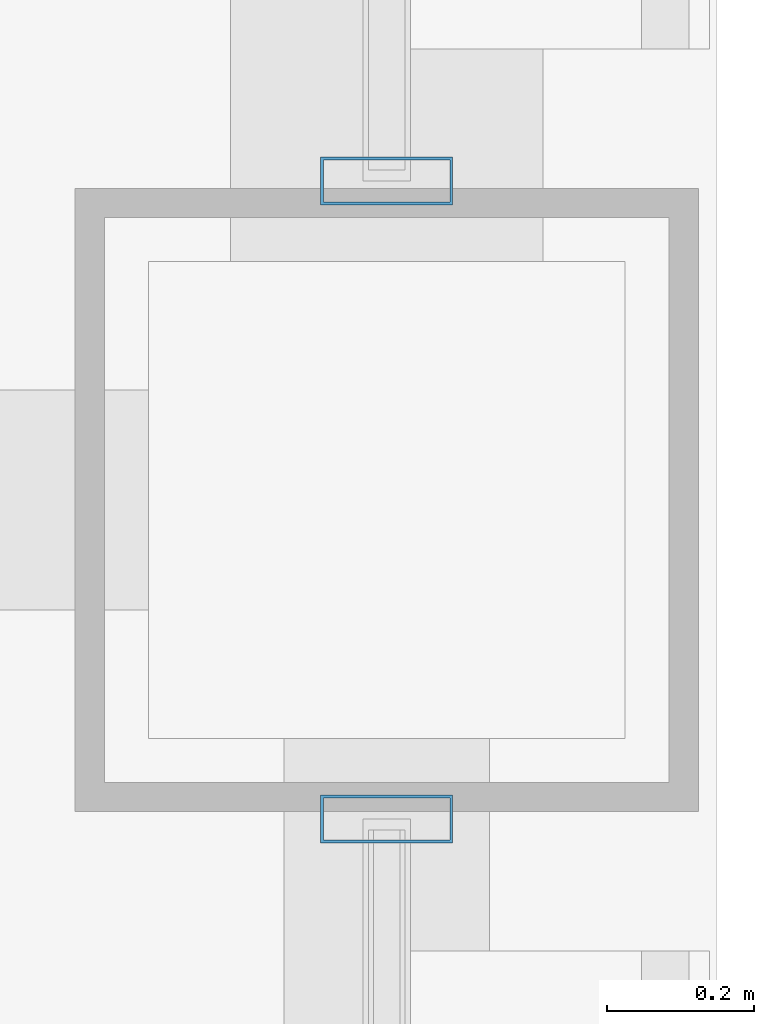
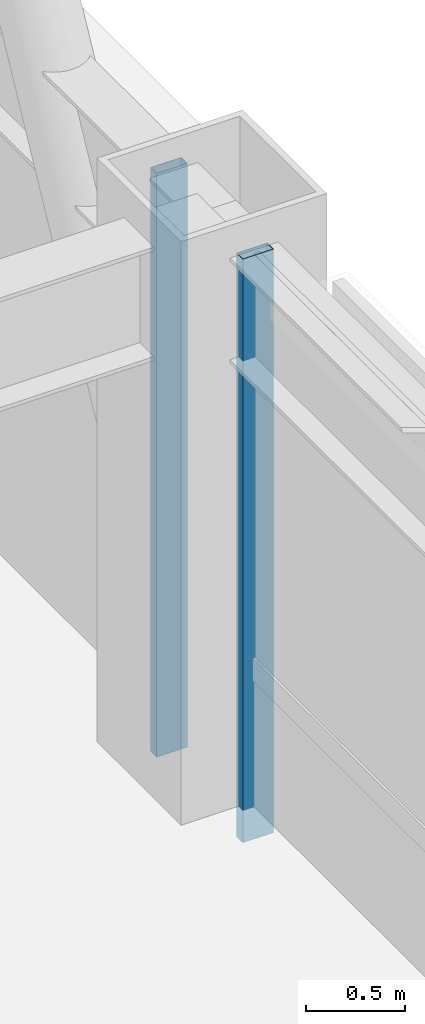
# One storey, part 16 of 32: 2 members, 2 elements without a shape of their own.
"""IFC4 building model written with IfcOpenShell, lengths in metres."""

from ifc_helpers import new_model, si_unit, direction, frame, origin, origin_2d, place, context, subcontext, project, spatial, hollow_rectangle, extrude, material, layer, layer_set, material_profile, profile_set, type_object, element, aggregate, save


model = new_model("IFC4")

# Units and contexts
model_context = context("Model", 3, precision=1e-05, world=origin(), true_north=direction((0.0, 1.0)))
body_context = subcontext(model_context, "Body", "Model", "MODEL_VIEW")
ifc_project = project(units=[si_unit("LENGTHUNIT", "METRE"), si_unit("AREAUNIT", "SQUARE_METRE"), si_unit("VOLUMEUNIT", "CUBIC_METRE"), si_unit("PLANEANGLEUNIT", "RADIAN"), si_unit("MASSUNIT", "GRAM", prefix="KILO")], contexts=[model_context])

# Site, building, storey
site_placement = place(None, origin())
site = spatial("IfcSite", under=ifc_project, at=site_placement, CompositionType="ELEMENT")
building_placement = place(site_placement, origin())
building = spatial("IfcBuilding", under=site, at=building_placement, Name="Brelmoor Portico Tower", CompositionType="ELEMENT")
storey_placement = place(building_placement, frame((0.0, 0.0, 109.800048828125)))
storey = spatial("IfcBuildingStorey", under=building, at=storey_placement, Name="L28", CompositionType="ELEMENT", Elevation=109.800048828125)

# Curtain wall, member
ifc_material = material(Name="Anodised Aluminium Alloy 6063-T6", Category="aluminium")
ifc_layer_1 = layer(ifc_material, 0.179931640625)
ifc_layer_set_1 = layer_set([ifc_layer_1], Name="Anodised Aluminium Alloy 6063-T6")
curtain_wall_type_1 = type_object("IfcCurtainWallType", Name="CW-TOWER-Z2", PredefinedType="NOTDEFINED", material=ifc_layer_set_1)
curtain_wall_1_placement = place(storey_placement, origin())
curtain_wall_1 = element("IfcCurtainWall", 1, at=curtain_wall_1_placement, inside=storey, type_object=curtain_wall_type_1, Name="L28 Curtain Wall CW-L28-4R-1", PredefinedType="NOTDEFINED")
ifc_material_profile = material_profile(ifc_material, hollow_rectangle(XDim=0.06494140625, YDim=0.179931640625, WallThickness=0.00390625, at=origin_2d()), Name="ALU MULLION 65x180")
ifc_profile_set = profile_set([ifc_material_profile], Name="Anodised Aluminium Alloy 6063-T6")
member_type = type_object("IfcMemberType", Name="MB-CW-MULL-180", PredefinedType="MULLION", material=ifc_profile_set)
member_1_placement = place(storey_placement, frame((22.550048828125, 9.31494140625, -0.199951171875), z_axis=(0.0, 0.0, 1.0), x_axis=(0.0, 1.0, 0.0)))
member_1 = element("IfcMember", 2, at=member_1_placement, type_object=member_type, Name="CW-L28-4R-1 Mullion 01", PredefinedType="MULLION", context=body_context, shape_type="SweptSolid", body=[
    extrude(hollow_rectangle(XDim=0.06494140625, YDim=0.179931640625, WallThickness=0.00390625, at=origin_2d()), origin(), (0.0, 0.0, 1.0), 3.599853515625),
])
aggregate(curtain_wall_1, [member_1])

ifc_layer_2 = layer(ifc_material, 0.179931640625)
ifc_layer_set_2 = layer_set([ifc_layer_2], Name="Anodised Aluminium Alloy 6063-T6")
curtain_wall_type_2 = type_object("IfcCurtainWallType", Name="CW-TOWER-Z2-XB", PredefinedType="NOTDEFINED", material=ifc_layer_set_2)
curtain_wall_2_placement = place(storey_placement, origin())
curtain_wall_2 = element("IfcCurtainWall", 3, at=curtain_wall_2_placement, inside=storey, type_object=curtain_wall_type_2, Name="L28 Curtain Wall CW-L28-4R-2", PredefinedType="NOTDEFINED")
member_2_placement = place(storey_placement, frame((22.550048828125, 10.18505859375, -0.199951171875), z_axis=(0.0, 0.0, 1.0), x_axis=(0.0, 1.0, 0.0)))
member_2 = element("IfcMember", 4, at=member_2_placement, type_object=member_type, Name="CW-L28-4R-2 Mullion 00", PredefinedType="MULLION", context=body_context, shape_type="SweptSolid", body=[
    extrude(hollow_rectangle(XDim=0.06494140625, YDim=0.179931640625, WallThickness=0.00390625, at=origin_2d()), origin(), (0.0, 0.0, 1.0), 3.599853515625),
])
aggregate(curtain_wall_2, [member_2])

save(model, "model.ifc")
